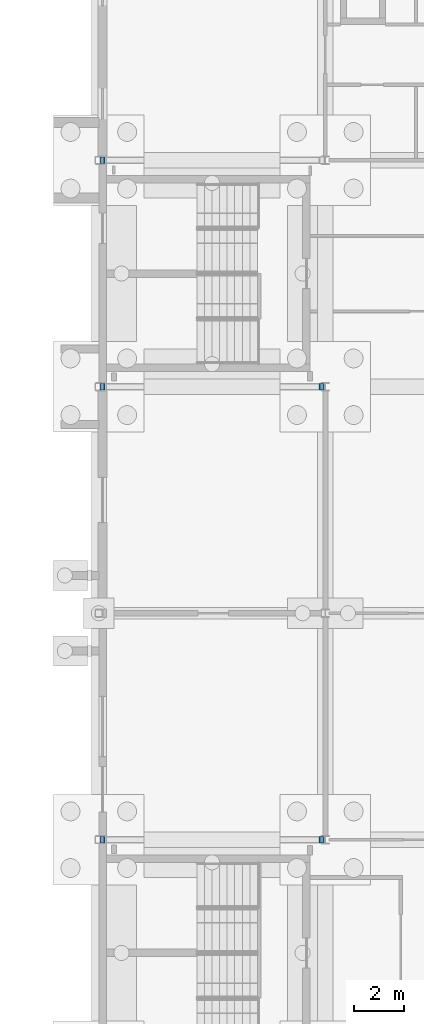
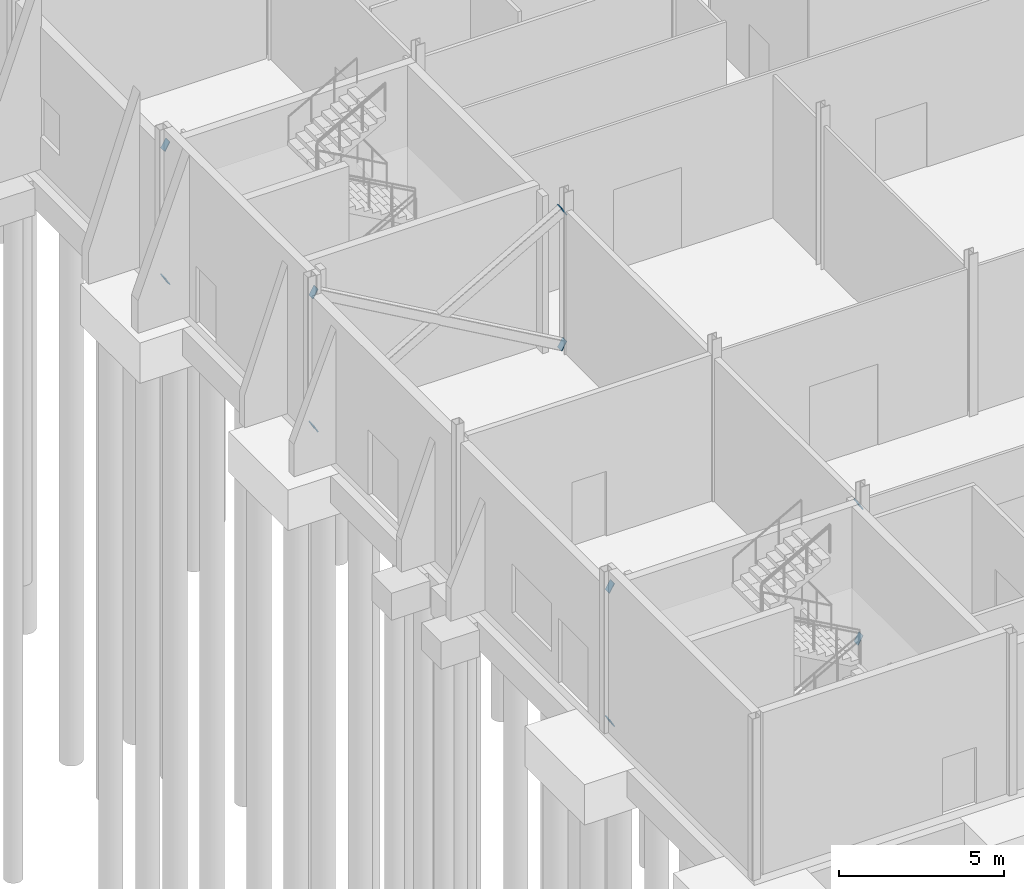
# One storey, part 120 of 139: 10 discrete accessories.
"""IFC4 building model written with IfcOpenShell, lengths in metres."""

import ifcopenshell
import ifcopenshell.guid

model = None  # the IFC model being written
_history = None  # IfcOwnerHistory: only IFC2X3 demands one
_inside = {}  # id of a spatial element -> (the spatial element, [elements in it])
_under = {}  # id of a project, library or spatial element -> (it, [spatial elements below it])
_declared = {}  # id of a project -> (the project, [libraries it declares])
_typed = {}  # id of a type object -> (the type object, [elements of that type])
_made_of = {}  # id of a material, layer set ... -> (it, [elements and type objects made of it])


def new_model(schema):
    """Start an empty IFC model of exactly this schema.

    Asked for "IFC4X3", IfcOpenShell would pick the latest addendum, in which some entities
    have other attributes; the version numbers below select the first issue.
    IFC2X3 requires an IfcOwnerHistory on every rooted entity: one is made here for all.
    """
    global model, _history
    if schema == "IFC4X3":
        model = ifcopenshell.file(schema_version=(4, 3, 0, 0))
    else:
        model = ifcopenshell.file(schema=schema)
    _inside.clear()
    _under.clear()
    _declared.clear()
    _typed.clear()
    _made_of.clear()
    _history = None
    if model.schema == "IFC2X3":
        org = make("IfcOrganization", Name="unknown")
        user = make(
            "IfcPersonAndOrganization",
            ThePerson=make("IfcPerson", FamilyName="unknown"),
            TheOrganization=org,
        )
        app = make(
            "IfcApplication",
            ApplicationDeveloper=org,
            Version="unknown",
            ApplicationFullName="unknown",
            ApplicationIdentifier="unknown",
        )
        _history = make(
            "IfcOwnerHistory",
            OwningUser=user,
            OwningApplication=app,
            ChangeAction="ADDED",
            CreationDate=0,
        )
    return model


def make(cls, **values):
    """One entity of the class cls with the attributes given. An attribute that is None is left unset."""
    return model.create_entity(
        cls, **{name: value for name, value in values.items() if value is not None}
    )


def rooted(cls, **values):
    """An entity with a GlobalId (a new one), such as an element, a storey or a relation."""
    return make(cls, GlobalId=ifcopenshell.guid.new(), OwnerHistory=_history, **values)


def si_unit(unit_type, name, prefix=None):
    """IfcSIUnit, for example si_unit("LENGTHUNIT", "METRE", prefix="MILLI")."""
    return make("IfcSIUnit", UnitType=unit_type, Prefix=prefix, Name=name)


def assignment(units):
    """IfcUnitAssignment: the units of a project."""
    return None if units is None else make("IfcUnitAssignment", Units=units)


def point(xyz):
    """IfcCartesianPoint."""
    return None if xyz is None else make("IfcCartesianPoint", Coordinates=xyz)


def direction(xyz):
    """IfcDirection."""
    return None if xyz is None else make("IfcDirection", DirectionRatios=xyz)


def frame(location, z_axis=None, x_axis=None):
    """IfcAxis2Placement3D, a coordinate frame: its origin and axes. An axis left out is left unset."""
    return make(
        "IfcAxis2Placement3D",
        Location=point(location),
        Axis=direction(z_axis),
        RefDirection=direction(x_axis),
    )


def origin():
    """The frame at (0, 0, 0) with its axes left unset."""
    return frame((0.0, 0.0, 0.0))


def place(relative_to, where):
    """IfcLocalPlacement: puts the frame where relative to a parent placement (None: the world)."""
    return make(
        "IfcLocalPlacement", PlacementRelTo=relative_to, RelativePlacement=where
    )


def context(
    kind, dimensions, precision=None, world=None, true_north=None, identifier=None
):
    """IfcGeometricRepresentationContext, for example the 3D "Model" context."""
    return make(
        "IfcGeometricRepresentationContext",
        ContextIdentifier=identifier,
        ContextType=kind,
        CoordinateSpaceDimension=dimensions,
        Precision=precision,
        WorldCoordinateSystem=world,
        TrueNorth=true_north,
    )


def subcontext(parent, identifier, kind, view, scale=None):
    """IfcGeometricRepresentationSubContext, for example "Body" below "Model"."""
    return make(
        "IfcGeometricRepresentationSubContext",
        ContextIdentifier=identifier,
        ContextType=kind,
        ParentContext=parent,
        TargetScale=scale,
        TargetView=view,
    )


def project(units=None, contexts=None):
    """IfcProject with its units and contexts."""
    return rooted(
        "IfcProject",
        Name="project",
        RepresentationContexts=contexts,
        UnitsInContext=assignment(units),
    )


def spatial(cls, under=None, at=None, **own):
    """A site, building, storey or space (cls), placed at a placement, below another one or the project."""
    s = rooted(cls, ObjectPlacement=at, **own)
    if under is not None:
        _under.setdefault(under.id(), (under, []))[1].append(s)
    return s


def polyline(points):
    """IfcPolyline through the points."""
    return make("IfcPolyline", Points=[point(p) for p in points])


def outline(outer, holes=None, kind="AREA"):
    """IfcArbitraryClosedProfileDef: a profile drawn as a closed curve; with holes, ...WithVoids."""
    if holes is None:
        return make("IfcArbitraryClosedProfileDef", ProfileType=kind, OuterCurve=outer)
    return make(
        "IfcArbitraryProfileDefWithVoids",
        ProfileType=kind,
        OuterCurve=outer,
        InnerCurves=holes,
    )


def extrude(swept, where, along, depth):
    """IfcExtrudedAreaSolid: the profile swept, set in the frame where, extruded along a direction by depth."""
    return make(
        "IfcExtrudedAreaSolid",
        SweptArea=swept,
        Position=where,
        ExtrudedDirection=direction(along),
        Depth=depth,
    )


def shape(context_of_items, identifier, shape_type, items):
    """IfcShapeRepresentation: the items that make up one representation, for example the "Body"."""
    return make(
        "IfcShapeRepresentation",
        ContextOfItems=context_of_items,
        RepresentationIdentifier=identifier,
        RepresentationType=shape_type,
        Items=items,
    )


def material(Name=None, Category=None):
    """IfcMaterial."""
    return make("IfcMaterial", Name=Name, Category=Category)


def layer(
    of_material, thickness, ventilated=None, Name=None, Category=None, Priority=None
):
    """IfcMaterialLayer: one layer of a wall or slab, of a material (None: an air gap)."""
    return make(
        "IfcMaterialLayer",
        Material=of_material,
        LayerThickness=thickness,
        IsVentilated=ventilated,
        Name=Name,
        Category=Category,
        Priority=Priority,
    )


def layer_set(layers, Name=None):
    """IfcMaterialLayerSet."""
    return make("IfcMaterialLayerSet", MaterialLayers=layers, LayerSetName=Name)


def made_of(thing, what):
    """Note that an element or type object is made of a material, layer set ...; save() writes the relation."""
    if what is not None:
        _made_of.setdefault(what.id(), (what, []))[1].append(thing)
    return thing


def type_object(cls, material=None, **own):
    """A type object (cls), such as IfcWallType, which elements share."""
    return made_of(rooted(cls, **own), material)


def element(
    cls,
    number,
    at=None,
    inside=None,
    cuts=None,
    type_object=None,
    material=None,
    context=None,
    identifier="Body",
    shape_type=None,
    held_by="IfcProductDefinitionShape",
    body=None,
    shapes=None,
    **own,
):
    """One element of the class cls, such as IfcWall. Its Tag is "e" and its number.

    at: its placement. inside: the storey or other place that contains it. cuts: it is an
    opening in that element (IfcRelVoidsElement). A single representation is given by context,
    identifier, shape_type and body (its items); several are given by shapes. held_by: the class
    of the entity that holds the representations. save() writes the other relations.
    """
    e = rooted(cls, Tag="e%d" % number, ObjectPlacement=at, **own)
    if body is not None:
        shapes = [shape(context, identifier, shape_type, body)]
    if shapes is not None:
        e.Representation = make(held_by, Representations=shapes)
    if inside is not None:
        _inside.setdefault(inside.id(), (inside, []))[1].append(e)
    if cuts is not None:
        rooted(
            "IfcRelVoidsElement", RelatingBuildingElement=cuts, RelatedOpeningElement=e
        )
    if type_object is not None:
        _typed.setdefault(type_object.id(), (type_object, []))[1].append(e)
    return made_of(e, material)


def aggregate(whole, parts):
    """IfcRelAggregates: a whole, such as a stair, and the parts it consists of."""
    return rooted("IfcRelAggregates", RelatingObject=whole, RelatedObjects=parts)


def save(model, path):
    """Write the relations noted so far, then the file.

    IfcRelAggregates (storeys below a building ...), IfcRelContainedInSpatialStructure (elements
    in a storey), IfcRelDefinesByType, IfcRelAssociatesMaterial and IfcRelDeclares: one each for
    every whole, place, type object, material and project.
    """
    for whole, parts in _under.values():
        aggregate(whole, parts)
    for where, things in _inside.values():
        rooted(
            "IfcRelContainedInSpatialStructure",
            RelatedElements=things,
            RelatingStructure=where,
        )
    for kind, things in _typed.values():
        rooted("IfcRelDefinesByType", RelatedObjects=things, RelatingType=kind)
    for what, things in _made_of.values():
        rooted("IfcRelAssociatesMaterial", RelatedObjects=things, RelatingMaterial=what)
    for by, libraries in _declared.values():
        rooted("IfcRelDeclares", RelatingContext=by, RelatedDefinitions=libraries)
    model.write(path)


model = new_model("IFC4")

# Units and contexts
model_context = context("Model", 3, precision=1e-05, world=origin(), true_north=direction((0.0, 1.0)))
body_context = subcontext(model_context, "Body", "Model", "MODEL_VIEW")
ifc_project = project(units=[si_unit("LENGTHUNIT", "METRE"), si_unit("AREAUNIT", "SQUARE_METRE"), si_unit("VOLUMEUNIT", "CUBIC_METRE"), si_unit("PLANEANGLEUNIT", "RADIAN"), si_unit("MASSUNIT", "GRAM", prefix="KILO")], contexts=[model_context])

# Site, building, storey
site_placement = place(None, origin())
site = spatial("IfcSite", under=ifc_project, at=site_placement, CompositionType="ELEMENT")
building_placement = place(site_placement, origin())
building = spatial("IfcBuilding", under=site, at=building_placement, Name="Shorebreak Coast Museum", CompositionType="ELEMENT")
storey_placement = place(building_placement, origin())
storey = spatial("IfcBuildingStorey", under=building, at=storey_placement, Name="L00", CompositionType="ELEMENT", Elevation=0.0)

# Discrete accessories
ifc_material = material(Name="Steel Grade 300", Category="steel")
ifc_layer = layer(ifc_material, 0.02490234375)
ifc_layer_set = layer_set([ifc_layer], Name="Steel Grade 300")
discrete_accessory_type = type_object("IfcDiscreteAccessoryType", Name="End plate 250 x 350 x 25", PredefinedType="BRACKET", material=ifc_layer_set)
for number, where, z_axis, x_axis, name in (
    (1, (54.23681640625, 8.875, 0.148193359375), (0.86789946656, 0.0, 0.496739887613), (0.0, 1.0, 0.0), "End plate X-brace bay 13 L00 diagonal 1 end 1"),
    (2, (62.9541015625, 8.875, 5.135498046875), (0.86789946656, 0.0, 0.496739887613), (0.0, 1.0, 0.0), "End plate X-brace bay 13 L00 diagonal 1 end 2"),
    (3, (62.758544921875, 9.125, 0.148193359375), (-0.86789946656, 0.0, 0.496739887613), (0.0, -1.0, 0.0), "End plate X-brace bay 13 L00 diagonal 2 end 1"),
):
    element("IfcDiscreteAccessory", number, at=place(storey_placement, frame(where, z_axis=z_axis, x_axis=x_axis)), inside=storey, type_object=discrete_accessory_type, Name=name, PredefinedType="BRACKET", context=body_context, shape_type="SweptSolid", body=[
        extrude(outline(polyline([(0.0, 0.0), (0.25, 0.0), (0.25, 0.34993792392100703), (0.0, 0.34993792392100703), (0.0, 0.0)])), origin(), (0.0, 0.0, -1.0), 0.02490234375),
    ])
discrete_accessory_1_placement = place(storey_placement, frame((54.04150390625, 9.125, 5.135498046875), z_axis=(-0.868200190556, 0.0, 0.496214096049), x_axis=(0.0, -1.0, 0.0)))
element("IfcDiscreteAccessory", 4, at=discrete_accessory_1_placement, inside=storey, type_object=discrete_accessory_type, Name="End plate X-brace bay 13 L00 diagonal 2 end 2", PredefinedType="BRACKET", context=body_context, shape_type="SweptSolid", body=[
    extrude(outline(polyline([(0.0, 0.0), (0.25, 0.0), (0.25, 0.3498167137068055), (0.0, 0.3498167137068055), (0.0, 0.0)])), origin(), (0.0, 0.0, -1.0), 0.02490234375),
])
for number, where, z_axis, x_axis, name in (
    (5, (54.23681640625, 26.875, 0.148193359375), (0.86789946656, 0.0, 0.496739887613), (0.0, 1.0, 0.0), "End plate X-brace bay 15 L00 diagonal 1 end 1"),
    (6, (62.9541015625, 26.875, 5.135498046875), (0.86789946656, 0.0, 0.496739887613), (0.0, 1.0, 0.0), "End plate X-brace bay 15 L00 diagonal 1 end 2"),
    (7, (62.758544921875, 27.125, 0.148193359375), (-0.86789946656, 0.0, 0.496739887613), (0.0, -1.0, 0.0), "End plate X-brace bay 15 L00 diagonal 2 end 1"),
):
    element("IfcDiscreteAccessory", number, at=place(storey_placement, frame(where, z_axis=z_axis, x_axis=x_axis)), inside=storey, type_object=discrete_accessory_type, Name=name, PredefinedType="BRACKET", context=body_context, shape_type="SweptSolid", body=[
        extrude(outline(polyline([(0.0, 0.0), (0.25, 0.0), (0.25, 0.34993792392100703), (0.0, 0.34993792392100703), (0.0, 0.0)])), origin(), (0.0, 0.0, -1.0), 0.02490234375),
    ])
discrete_accessory_2_placement = place(storey_placement, frame((54.04150390625, 27.125, 5.135498046875), z_axis=(-0.868200190556, 0.0, 0.496214096049), x_axis=(0.0, -1.0, 0.0)))
element("IfcDiscreteAccessory", 8, at=discrete_accessory_2_placement, inside=storey, type_object=discrete_accessory_type, Name="End plate X-brace bay 15 L00 diagonal 2 end 2", PredefinedType="BRACKET", context=body_context, shape_type="SweptSolid", body=[
    extrude(outline(polyline([(0.0, 0.0), (0.25, 0.0), (0.25, 0.3498167137068055), (0.0, 0.3498167137068055), (0.0, 0.0)])), origin(), (0.0, 0.0, -1.0), 0.02490234375),
])
discrete_accessory_3_placement = place(storey_placement, frame((54.23681640625, 35.875, 0.148193359375), z_axis=(0.86789946656, 0.0, 0.496739887613), x_axis=(0.0, 1.0, 0.0)))
element("IfcDiscreteAccessory", 9, at=discrete_accessory_3_placement, inside=storey, type_object=discrete_accessory_type, Name="End plate X-brace bay 16 L00 diagonal 1 end 1", PredefinedType="BRACKET", context=body_context, shape_type="SweptSolid", body=[
    extrude(outline(polyline([(0.0, 0.0), (0.25, 0.0), (0.25, 0.34993792392100703), (0.0, 0.34993792392100703), (0.0, 0.0)])), origin(), (0.0, 0.0, -1.0), 0.02490234375),
])
discrete_accessory_4_placement = place(storey_placement, frame((54.04150390625, 36.125, 5.135498046875), z_axis=(-0.868200190556, 0.0, 0.496214096049), x_axis=(0.0, -1.0, 0.0)))
element("IfcDiscreteAccessory", 10, at=discrete_accessory_4_placement, inside=storey, type_object=discrete_accessory_type, Name="End plate X-brace bay 16 L00 diagonal 2 end 2", PredefinedType="BRACKET", context=body_context, shape_type="SweptSolid", body=[
    extrude(outline(polyline([(0.0, 0.0), (0.25, 0.0), (0.25, 0.3498167137068055), (0.0, 0.3498167137068055), (0.0, 0.0)])), origin(), (0.0, 0.0, -1.0), 0.02490234375),
])

save(model, "model.ifc")
